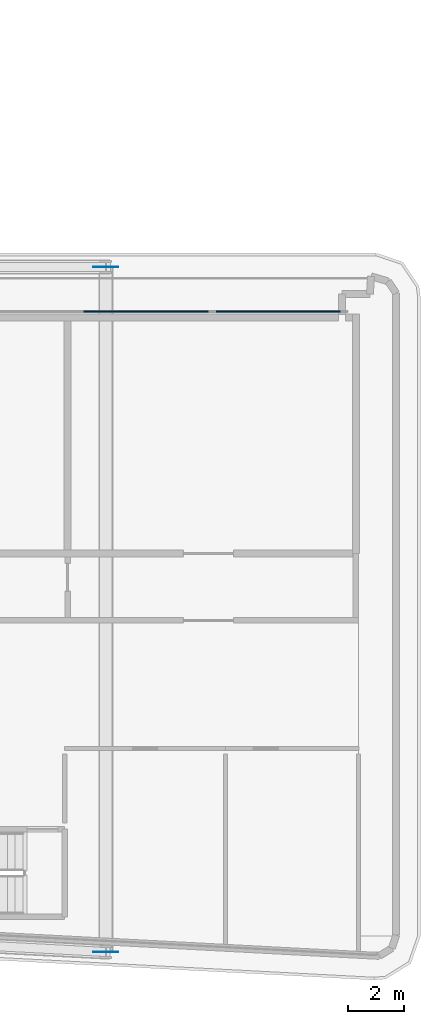
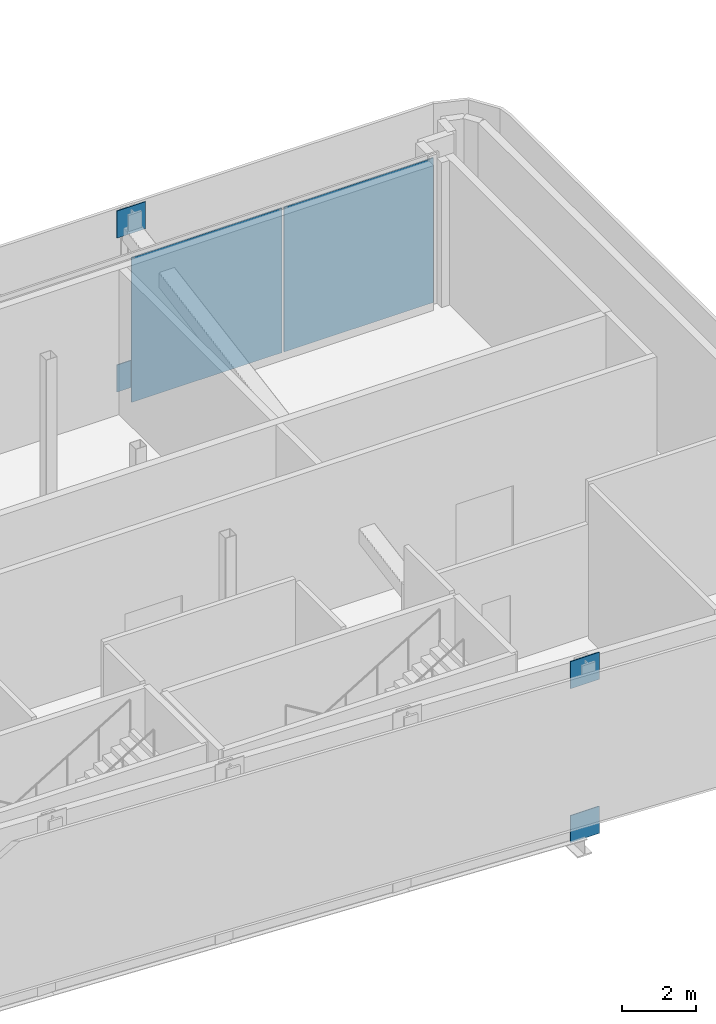
# One storey, part 15 of 30: 6 plates, 1 element without a shape of its own.
"""IFC4 building model written with IfcOpenShell, lengths in metres."""

from ifc_helpers import new_model, si_unit, direction, frame, origin, origin_2d, place, context, subcontext, project, spatial, rectangle, extrude, material, layer, layer_set, type_object, element, aggregate, save


model = new_model("IFC4")

# Units and contexts
model_context = context("Model", 3, precision=1e-05, world=origin(), true_north=direction((0.0, 1.0)))
body_context = subcontext(model_context, "Body", "Model", "MODEL_VIEW")
ifc_project = project(units=[si_unit("LENGTHUNIT", "METRE"), si_unit("AREAUNIT", "SQUARE_METRE"), si_unit("VOLUMEUNIT", "CUBIC_METRE"), si_unit("PLANEANGLEUNIT", "RADIAN"), si_unit("MASSUNIT", "GRAM", prefix="KILO")], contexts=[model_context])

# Site, building, storey
site_placement = place(None, origin())
site = spatial("IfcSite", under=ifc_project, at=site_placement, CompositionType="ELEMENT")
building_placement = place(site_placement, origin())
building = spatial("IfcBuilding", under=site, at=building_placement, Name="Kheshtan School and Residences Tower", CompositionType="ELEMENT")
storey_placement = place(building_placement, frame((0.0, 0.0, 89.0)))
storey = spatial("IfcBuildingStorey", under=building, at=storey_placement, Name="L20", CompositionType="ELEMENT", Elevation=89.0)

# Curtain wall, plates
ifc_material_1 = material(Name="Clear low-e glass in thermally broken aluminium frame", Category="aluminium")
ifc_layer_1 = layer(ifc_material_1, 0.25)
ifc_layer_set_1 = layer_set([ifc_layer_1], Name="Curtain wall CW-G")
curtain_wall_type = type_object("IfcCurtainWallType", Name="Curtain wall CW-G", PredefinedType="NOTDEFINED", material=ifc_layer_set_1)
curtain_wall_placement = place(storey_placement, origin())
curtain_wall = element("IfcCurtainWall", 1, at=curtain_wall_placement, inside=storey, type_object=curtain_wall_type, Name="Curtain wall CWG5c", PredefinedType="NOTDEFINED")
ifc_layer_2 = layer(ifc_material_1, 0.0380859375)
ifc_layer_set_2 = layer_set([ifc_layer_2], Name="CW-G glass panel")
plate_type_1 = type_object("IfcPlateType", Name="CW-G glass panel", PredefinedType="CURTAIN_PANEL", material=ifc_layer_set_2)
plate_1_placement = place(storey_placement, frame((96.998046875, 44.0, 0.0), z_axis=(0.0, 0.0, 1.0), x_axis=(1.0, 0.0, 0.0)))
plate_1 = element("IfcPlate", 2, at=plate_1_placement, type_object=plate_type_1, Name="CWG5c panel 5.1", PredefinedType="CURTAIN_PANEL", context=body_context, shape_type="SweptSolid", body=[
    extrude(rectangle(XDim=4.68408203125, YDim=0.0380859375, at=origin_2d()), origin(), (0.0, 0.0, 1.0), 4.7900390625),
])
ifc_material_2 = material(Name="Insulated terracotta infill panel", Category="masonry")
ifc_layer_3 = layer(ifc_material_2, 0.0380859375)
ifc_layer_set_3 = layer_set([ifc_layer_3], Name="CW-G insulated infill panel")
plate_type_2 = type_object("IfcPlateType", Name="CW-G insulated infill panel", PredefinedType="CURTAIN_PANEL", material=ifc_layer_set_3)
plate_2_placement = place(storey_placement, frame((92.239013671875, 44.0, 0.0), z_axis=(0.0, 0.0, 1.0), x_axis=(1.0, 0.0, 0.0)))
plate_2 = element("IfcPlate", 3, at=plate_2_placement, type_object=plate_type_2, Name="CWG5c infill 4.1", PredefinedType="CURTAIN_PANEL", context=body_context, shape_type="SweptSolid", body=[
    extrude(rectangle(XDim=4.714111328125, YDim=0.0380859375, at=origin_2d()), origin(), (0.0, 0.0, 1.0), 4.7900390625),
])
aggregate(curtain_wall, [plate_2, plate_1])

# Plates
ifc_material_3 = material(Name="Steel ASTM A992 Grade 50", Category="steel")
ifc_layer_4 = layer(ifc_material_3, 0.02490234375)
ifc_layer_set_4 = layer_set([ifc_layer_4], Name="Gusset plate 25 Steel ASTM A992 Grade 50")
plate_type_3 = type_object("IfcPlateType", Name="Gusset plate 25 Steel ASTM A992 Grade 50", PredefinedType="SHEET", material=ifc_layer_set_4)
for number, where, z_axis, x_axis, name in (
    (4, (90.800048828125, 45.60009765625, 4.300048828125), (0.0, 0.0, 1.0), (1.0, 0.0, 0.0), "Gusset plate 36"),
    (5, (90.800048828125, 45.60009765625, -0.800048828125), (0.0, 0.0, 1.0), (1.0, 0.0, 0.0), "Gusset plate 37"),
    (6, (90.800048828125, 20.989990234375, 4.300048828125), (0.0, 0.0, 1.0), (1.0, 0.0, 0.0), "Gusset plate 38"),
    (7, (90.800048828125, 20.989990234375, -0.800048828125), (0.0, 0.0, 1.0), (1.0, 0.0, 0.0), "Gusset plate 39"),
):
    element("IfcPlate", number, at=place(storey_placement, frame(where, z_axis=z_axis, x_axis=x_axis)), inside=storey, type_object=plate_type_3, Name=name, PredefinedType="SHEET", context=body_context, shape_type="SweptSolid", body=[
        extrude(rectangle(XDim=0.89990234375, YDim=0.02490234375, at=origin_2d()), origin(), (0.0, 0.0, 1.0), 0.89990234375),
    ])

save(model, "model.ifc")
